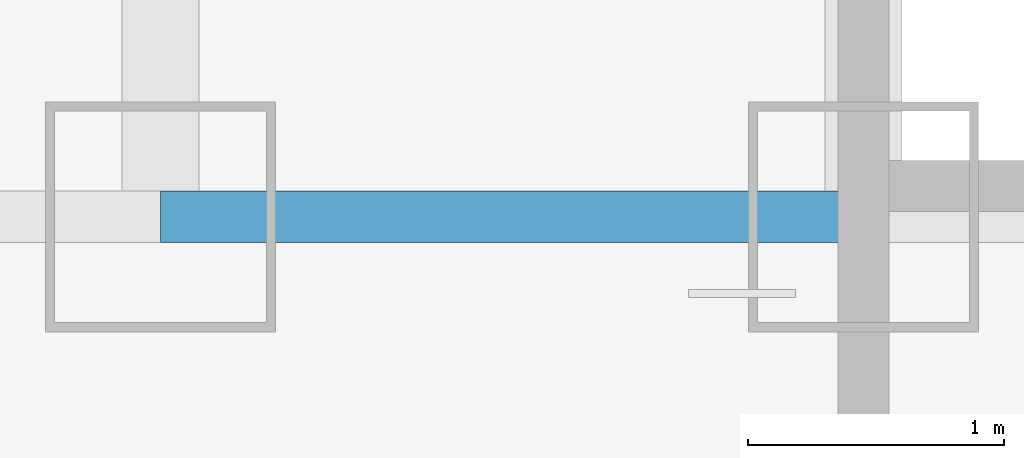
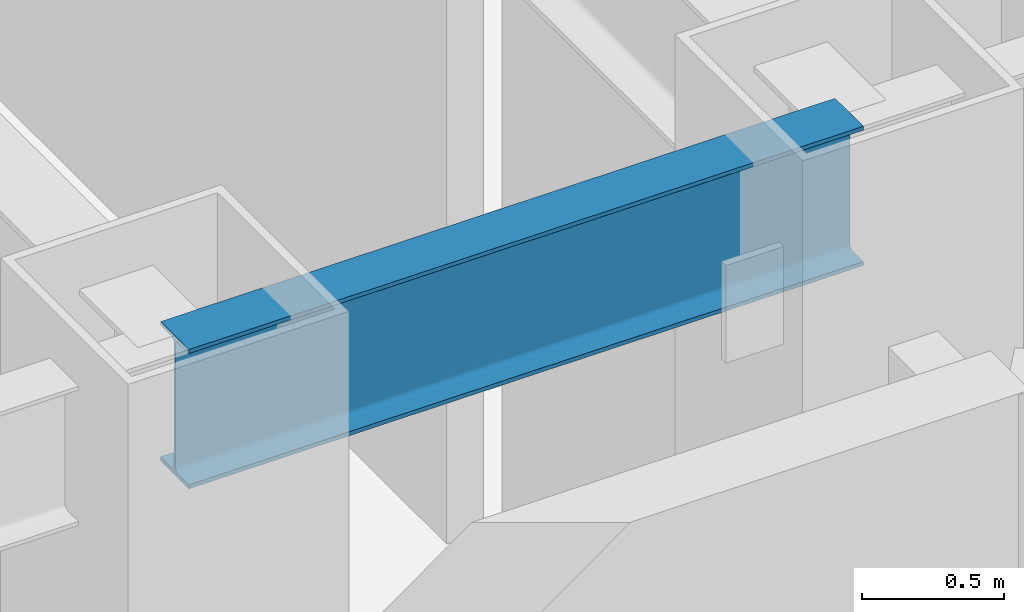
# One storey, part 3 of 31: 1 beam.
"""IFC4 building model written with IfcOpenShell, lengths in metres."""

from ifc_helpers import new_model, si_unit, direction, frame, origin, origin_2d, place, context, subcontext, project, spatial, i_section, extrude, material, material_profile, profile_set, type_object, element, save


model = new_model("IFC4")

# Units and contexts
model_context = context("Model", 3, precision=1e-05, world=origin(), true_north=direction((0.0, 1.0)))
body_context = subcontext(model_context, "Body", "Model", "MODEL_VIEW")
ifc_project = project(units=[si_unit("LENGTHUNIT", "METRE"), si_unit("AREAUNIT", "SQUARE_METRE"), si_unit("VOLUMEUNIT", "CUBIC_METRE"), si_unit("PLANEANGLEUNIT", "RADIAN"), si_unit("MASSUNIT", "GRAM", prefix="KILO")], contexts=[model_context])

# Site, building, storey
site_placement = place(None, origin())
site = spatial("IfcSite", under=ifc_project, at=site_placement, CompositionType="ELEMENT")
building_placement = place(site_placement, origin())
building = spatial("IfcBuilding", under=site, at=building_placement, Name="Hatsunagi Terrace Concourse", CompositionType="ELEMENT")
storey_placement = place(building_placement, frame((0.0, 0.0, 81.300048828125)))
storey = spatial("IfcBuildingStorey", under=building, at=storey_placement, Name="L21", CompositionType="ELEMENT", Elevation=81.300048828125)

# Beam
ifc_material = material(Name="Steel SN490B", Category="steel")
ifc_material_profile = material_profile(ifc_material, i_section(OverallWidth=0.199951171875, OverallDepth=0.60009765625, WebThickness=0.010986328125, FlangeThickness=0.01708984375, FilletRadius=0.01806640625, at=origin_2d()), Name="H-600x200x11x17")
ifc_profile_set = profile_set([ifc_material_profile], Name="Steel SN490B")
beam_type = type_object("IfcBeamType", Name="PerimeterSpandrel_H_600x200", PredefinedType="SPANDREL", material=ifc_profile_set)
beam_placement = place(storey_placement, frame((22.800048828125, 25.199951171875, 2.829833984375), z_axis=(1.0, 0.0, 0.0), x_axis=(0.0, 1.0, 0.0)))
element("IfcBeam", 1, at=beam_placement, inside=storey, type_object=beam_type, Name="Beam SP-01 BM-L21-WS-22", PredefinedType="SPANDREL", context=body_context, shape_type="SweptSolid", body=[
    extrude(i_section(OverallWidth=0.199951171875, OverallDepth=0.60009765625, WebThickness=0.010986328125, FlangeThickness=0.01708984375, FilletRadius=0.01806640625, at=origin_2d()), origin(), (0.0, 0.0, 1.0), 2.75),
])

save(model, "model.ifc")
